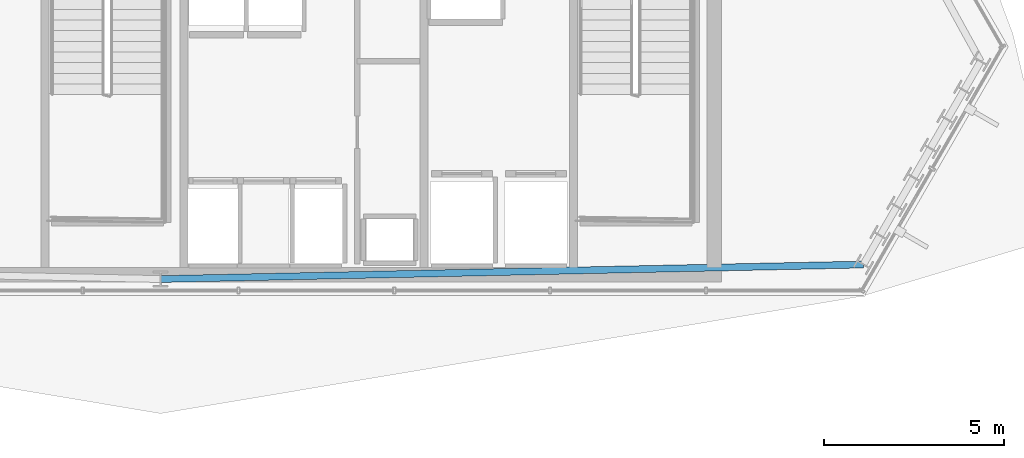
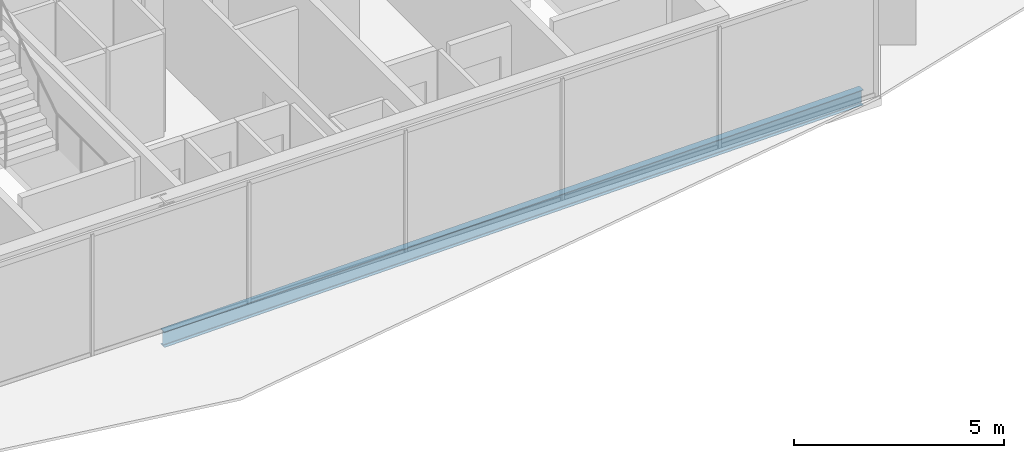
# One storey, part 17 of 37: 1 beam.
"""IFC4 building model written with IfcOpenShell, lengths in metres."""

from ifc_helpers import new_model, si_unit, direction, frame, origin, origin_2d, place, context, subcontext, project, spatial, i_section, extrude, material, material_profile, profile_set, type_object, element, save


model = new_model("IFC4")

# Units and contexts
model_context = context("Model", 3, precision=1e-05, world=origin(), true_north=direction((0.0, 1.0)))
body_context = subcontext(model_context, "Body", "Model", "MODEL_VIEW")
ifc_project = project(units=[si_unit("LENGTHUNIT", "METRE"), si_unit("AREAUNIT", "SQUARE_METRE"), si_unit("VOLUMEUNIT", "CUBIC_METRE"), si_unit("PLANEANGLEUNIT", "RADIAN"), si_unit("MASSUNIT", "GRAM", prefix="KILO")], contexts=[model_context])

# Site, building, storey
site_placement = place(None, origin())
site = spatial("IfcSite", under=ifc_project, at=site_placement, CompositionType="ELEMENT")
building_placement = place(site_placement, origin())
building = spatial("IfcBuilding", under=site, at=building_placement, Name="Ndaravel Arena Tower", CompositionType="ELEMENT")
storey_placement = place(building_placement, frame((0.0, 0.0, 218.0)))
storey = spatial("IfcBuildingStorey", under=building, at=storey_placement, Name="L52", CompositionType="ELEMENT", Elevation=218.0)

# Beam
ifc_material = material(Name="Steel S355", Category="steel")
ifc_material_profile = material_profile(ifc_material, i_section(OverallWidth=0.18994140625, OverallDepth=0.449951171875, WebThickness=0.009521484375, FlangeThickness=0.0146484375, FilletRadius=0.02099609375, at=origin_2d()), Name="IPE 450")
ifc_profile_set = profile_set([ifc_material_profile], Name="Steel S355")
beam_type = type_object("IfcBeamType", Name="BM-SPAN-IPE450", PredefinedType="SPANDREL", material=ifc_profile_set)
beam_placement = place(storey_placement, frame((42.0, 5.47998046875, -0.445068359375), z_axis=(0.999786791244, 0.020648778504, 0.0), x_axis=(-0.020648778504, 0.999786791244, 0.0)))
element("IfcBeam", 1, at=beam_placement, inside=storey, type_object=beam_type, Name="L52 Perimeter Spandrel Beam SP-01", PredefinedType="SPANDREL", context=body_context, shape_type="SweptSolid", body=[
    extrude(i_section(OverallWidth=0.18994140625, OverallDepth=0.449951171875, WebThickness=0.009521484375, FlangeThickness=0.0146484375, FilletRadius=0.02099609375, at=origin_2d()), origin(), (0.0, 0.0, 1.0), 19.485107421875),
])

save(model, "model.ifc")
